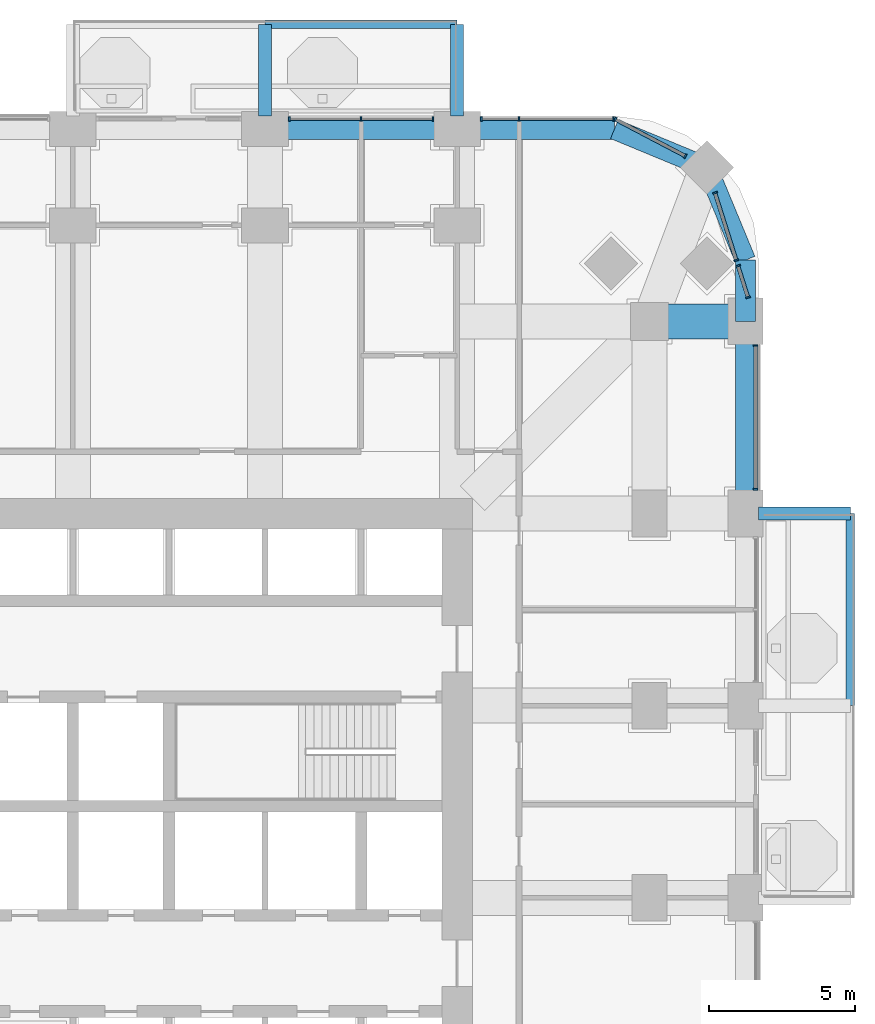
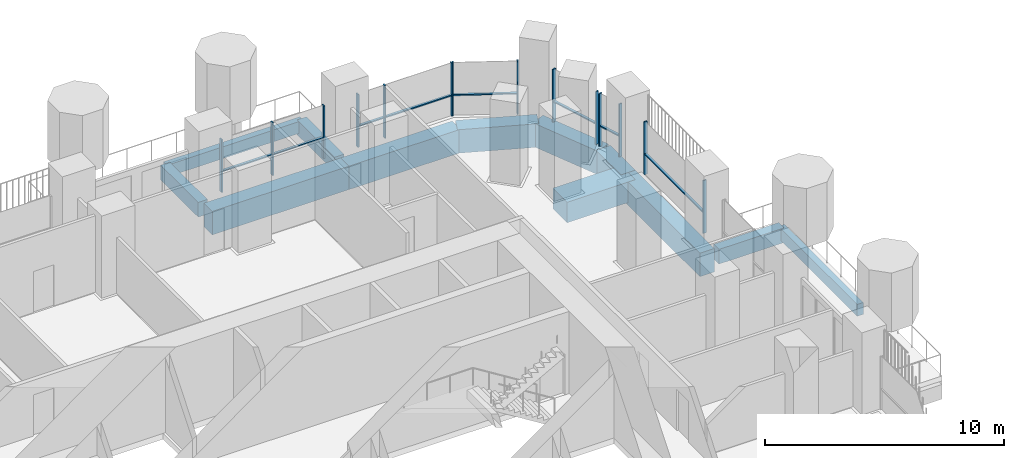
# One storey, part 8 of 23: 22 members, 12 beams, 6 elements without a shape of their own.
"""IFC4 building model written with IfcOpenShell, lengths in metres."""

from ifc_helpers import new_model, si_unit, direction, frame, origin, origin_2d, place, context, subcontext, project, spatial, rectangle, extrude, material, material_profile, profile_set, type_object, element, aggregate, save


model = new_model("IFC4")

# Units and contexts
model_context = context("Model", 3, precision=1e-05, world=origin(), true_north=direction((0.0, 1.0)))
body_context = subcontext(model_context, "Body", "Model", "MODEL_VIEW")
ifc_project = project(units=[si_unit("LENGTHUNIT", "METRE"), si_unit("AREAUNIT", "SQUARE_METRE"), si_unit("VOLUMEUNIT", "CUBIC_METRE"), si_unit("PLANEANGLEUNIT", "RADIAN"), si_unit("MASSUNIT", "GRAM", prefix="KILO")], contexts=[model_context])

# Site, building, storey
site_placement = place(None, origin())
site = spatial("IfcSite", under=ifc_project, at=site_placement, CompositionType="ELEMENT")
building_placement = place(site_placement, origin())
building = spatial("IfcBuilding", under=site, at=building_placement, Name="Cobogo Forest Laboratory Tower", CompositionType="ELEMENT")
storey_placement = place(building_placement, frame((0.0, 0.0, 103.199951171875)))
storey = spatial("IfcBuildingStorey", under=building, at=storey_placement, Name="L23", CompositionType="ELEMENT", Elevation=103.199951171875)

# Beams
ifc_material_1 = material(Name="Concrete HA-40 (C40/50)", Category="concrete")
ifc_material_profile_1 = material_profile(ifc_material_1, rectangle(XDim=0.449951171875, YDim=0.75, at=origin_2d()), Name="RC 450x750")
ifc_profile_set_1 = profile_set([ifc_material_profile_1], Name="Concrete HA-40 (C40/50)")
beam_type_1 = type_object("IfcBeamType", Name="Balcony cantilever beam 450x750", PredefinedType="BEAM", material=ifc_profile_set_1)
for number, where, z_axis, x_axis, name in (
    (1, (49.949951171875, 33.0, -0.625), (1.0, 0.0, 0.0), (0.0, 1.0, 0.0), "CB1 BAL-E1-C3 L23"),
    (2, (33.0, 46.64990234375, -0.625), (0.0, 1.0, 0.0), (-1.0, 0.0, 0.0), "CB1 BAL-N1-C2 L23"),
    (3, (39.60009765625, 46.64990234375, -0.625), (0.0, 1.0, 0.0), (-1.0, 0.0, 0.0), "CB1 BAL-N1-C3 L23"),
):
    element("IfcBeam", number, at=place(storey_placement, frame(where, z_axis=z_axis, x_axis=x_axis)), inside=storey, type_object=beam_type_1, Name=name, PredefinedType="BEAM", context=body_context, shape_type="SweptSolid", body=[
        extrude(rectangle(XDim=0.449951171875, YDim=0.75, at=origin_2d()), origin(), (0.0, 0.0, 1.0), 3.150146484375),
    ])
ifc_material_profile_2 = material_profile(ifc_material_1, rectangle(XDim=0.300048828125, YDim=0.60009765625, at=origin_2d()), Name="RC 300x600")
ifc_profile_set_2 = profile_set([ifc_material_profile_2], Name="Concrete HA-40 (C40/50)")
beam_type_2 = type_object("IfcBeamType", Name="Balcony edge beam 300x600", PredefinedType="BEAM", material=ifc_profile_set_2)
for number, where, z_axis, x_axis, name in (
    (4, (53.10009765625, 26.39990234375, -0.550048828125), (0.0, 1.0, 0.0), (-1.0, 0.0, 0.0), "BB1 BAL-E1-T2 L23"),
    (5, (33.0, 49.800048828125, -0.550048828125), (1.0, 0.0, 0.0), (0.0, 1.0, 0.0), "BB1 BAL-N1-T2 L23"),
):
    element("IfcBeam", number, at=place(storey_placement, frame(where, z_axis=z_axis, x_axis=x_axis)), inside=storey, type_object=beam_type_2, Name=name, PredefinedType="BEAM", context=body_context, shape_type="SweptSolid", body=[
        extrude(rectangle(XDim=0.300048828125, YDim=0.60009765625, at=origin_2d()), origin(), (0.0, 0.0, 1.0), 6.60009765625),
    ])
ifc_material_profile_3 = material_profile(ifc_material_1, rectangle(XDim=1.199951171875, YDim=1.050048828125, at=origin_2d()), Name="RC 1200x1050")
ifc_profile_set_3 = profile_set([ifc_material_profile_3], Name="Concrete HA-40 (C40/50)")
beam_type_3 = type_object("IfcBeamType", Name="Laboratory floor wide beam 1200x1050", PredefinedType="BEAM", material=ifc_profile_set_3)
beam_1_placement = place(storey_placement, frame((49.5, 39.60009765625, -0.824951171875), z_axis=(-1.0, 0.0, 0.0), x_axis=(0.0, -1.0, 0.0)))
element("IfcBeam", 6, at=beam_1_placement, inside=storey, type_object=beam_type_3, Name="RB1 G-NE-YF L23", PredefinedType="BEAM", context=body_context, shape_type="SweptSolid", body=[
    extrude(rectangle(XDim=1.199951171875, YDim=1.050048828125, at=origin_2d()), origin(), (0.0, 0.0, 1.0), 3.300048828125),
])

# Curtain wall, members
ifc_material_2 = material(Name="Aluminium curtain wall", Category="aluminium")
curtain_wall_type = type_object("IfcCurtainWallType", Name="CW-1 unitised curtain wall, clear glazing, laboratory floors zones A and B", PredefinedType="USERDEFINED", material=ifc_material_2)
curtain_wall_1_placement = place(storey_placement, origin())
curtain_wall_1 = element("IfcCurtainWall", 7, at=curtain_wall_1_placement, inside=storey, type_object=curtain_wall_type, Name="Curtain wall 14 L23", ObjectType="UNITISED CURTAIN WALL", PredefinedType="USERDEFINED")
ifc_material_3 = material(Name="Aluminium mullion", Category="aluminium")
ifc_material_profile_4 = material_profile(ifc_material_3, rectangle(XDim=0.06005859375, YDim=0.159912109375, at=origin_2d()), Name="AL 60x160")
ifc_profile_set_4 = profile_set([ifc_material_profile_4], Name="Aluminium mullion")
member_type_1 = type_object("IfcMemberType", Name="MU-1 aluminium mullion 60x160", PredefinedType="MULLION", material=ifc_profile_set_4)
member_1_placement = place(storey_placement, frame((49.85009765625, 33.830078125, 0.0), z_axis=(0.0, 0.0, 1.0), x_axis=(0.0, 1.0, 0.0)))
member_1 = element("IfcMember", 8, at=member_1_placement, type_object=member_type_1, Name="CW-1 mullion 1", PredefinedType="MULLION", context=body_context, shape_type="SweptSolid", body=[
    extrude(rectangle(XDim=0.06005859375, YDim=0.159912109375, at=origin_2d()), origin(), (0.0, 0.0, 1.0), 2.699951171875),
])
member_2_placement = place(storey_placement, frame((49.85009765625, 38.77001953125, 0.0), z_axis=(0.0, 0.0, 1.0), x_axis=(0.0, 1.0, 0.0)))
member_2 = element("IfcMember", 9, at=member_2_placement, type_object=member_type_1, Name="CW-1 mullion 2", PredefinedType="MULLION", context=body_context, shape_type="SweptSolid", body=[
    extrude(rectangle(XDim=0.06005859375, YDim=0.159912109375, at=origin_2d()), origin(), (0.0, 0.0, 1.0), 2.699951171875),
])

curtain_wall_2_placement = place(storey_placement, origin())
curtain_wall_2 = element("IfcCurtainWall", 10, at=curtain_wall_2_placement, inside=storey, type_object=curtain_wall_type, Name="Curtain wall 15 L23", ObjectType="UNITISED CURTAIN WALL", PredefinedType="USERDEFINED")
member_3_placement = place(storey_placement, frame((49.58837890625, 40.4287109375, 0.0), z_axis=(0.0, 0.0, 1.0), x_axis=(-0.301135667865, 0.953581307252, 0.0)))
member_3 = element("IfcMember", 11, at=member_3_placement, type_object=member_type_1, Name="CW-1 mullion 1", PredefinedType="MULLION", context=body_context, shape_type="SweptSolid", body=[
    extrude(rectangle(XDim=0.06005859375, YDim=0.159912109375, at=origin_2d()), origin(), (0.0, 0.0, 1.0), 2.699951171875),
])
member_4_placement = place(storey_placement, frame((49.247802734375, 41.507080078125, 0.0), z_axis=(0.0, 0.0, 1.0), x_axis=(-0.301135667865, 0.953581307252, 0.0)))
member_4 = element("IfcMember", 12, at=member_4_placement, type_object=member_type_1, Name="CW-1 mullion 2", PredefinedType="MULLION", context=body_context, shape_type="SweptSolid", body=[
    extrude(rectangle(XDim=0.06005859375, YDim=0.159912109375, at=origin_2d()), origin(), (0.0, 0.0, 1.0), 2.699951171875),
])

curtain_wall_3_placement = place(storey_placement, origin())
curtain_wall_3 = element("IfcCurtainWall", 13, at=curtain_wall_3_placement, inside=storey, type_object=curtain_wall_type, Name="Curtain wall 16 L23", ObjectType="UNITISED CURTAIN WALL", PredefinedType="USERDEFINED")
member_5_placement = place(storey_placement, frame((49.18701171875, 41.69970703125, 0.0), z_axis=(0.0, 0.0, 1.0), x_axis=(-0.301135291996, 0.953581425949, 0.0)))
member_5 = element("IfcMember", 14, at=member_5_placement, type_object=member_type_1, Name="CW-1 mullion 1", PredefinedType="MULLION", context=body_context, shape_type="SweptSolid", body=[
    extrude(rectangle(XDim=0.06005859375, YDim=0.159912109375, at=origin_2d()), origin(), (0.0, 0.0, 1.0), 2.699951171875),
])
member_6_placement = place(storey_placement, frame((48.455810546875, 44.01513671875, 0.0), z_axis=(0.0, 0.0, 1.0), x_axis=(-0.301135291996, 0.953581425949, 0.0)))
member_6 = element("IfcMember", 15, at=member_6_placement, type_object=member_type_1, Name="CW-1 mullion 2", PredefinedType="MULLION", context=body_context, shape_type="SweptSolid", body=[
    extrude(rectangle(XDim=0.06005859375, YDim=0.159912109375, at=origin_2d()), origin(), (0.0, 0.0, 1.0), 2.699951171875),
])

curtain_wall_4_placement = place(storey_placement, origin())
curtain_wall_4 = element("IfcCurtainWall", 16, at=curtain_wall_4_placement, inside=storey, type_object=curtain_wall_type, Name="Curtain wall 17 L23", ObjectType="UNITISED CURTAIN WALL", PredefinedType="USERDEFINED")
member_7_placement = place(storey_placement, frame((47.431640625, 45.275390625, 0.0), z_axis=(0.0, 0.0, 1.0), x_axis=(-0.885686547075, 0.464283685186, 0.0)))
member_7 = element("IfcMember", 17, at=member_7_placement, type_object=member_type_1, Name="CW-1 mullion 1", PredefinedType="MULLION", context=body_context, shape_type="SweptSolid", body=[
    extrude(rectangle(XDim=0.06005859375, YDim=0.159912109375, at=origin_2d()), origin(), (0.0, 0.0, 1.0), 2.699951171875),
])
member_8_placement = place(storey_placement, frame((45.026611328125, 46.5361328125, 0.0), z_axis=(0.0, 0.0, 1.0), x_axis=(-0.885686547075, 0.464283685186, 0.0)))
member_8 = element("IfcMember", 18, at=member_8_placement, type_object=member_type_1, Name="CW-1 mullion 2", PredefinedType="MULLION", context=body_context, shape_type="SweptSolid", body=[
    extrude(rectangle(XDim=0.06005859375, YDim=0.159912109375, at=origin_2d()), origin(), (0.0, 0.0, 1.0), 2.699951171875),
])

curtain_wall_5_placement = place(storey_placement, origin())
curtain_wall_5 = element("IfcCurtainWall", 19, at=curtain_wall_5_placement, inside=storey, type_object=curtain_wall_type, Name="Curtain wall 18 L23", ObjectType="UNITISED CURTAIN WALL", PredefinedType="USERDEFINED")
member_9_placement = place(storey_placement, frame((44.969970703125, 46.550048828125, 0.0), z_axis=(0.0, 0.0, 1.0), x_axis=(-1.0, 0.0, 0.0)))
member_9 = element("IfcMember", 20, at=member_9_placement, type_object=member_type_1, Name="CW-1 mullion 1", PredefinedType="MULLION", context=body_context, shape_type="SweptSolid", body=[
    extrude(rectangle(XDim=0.06005859375, YDim=0.159912109375, at=origin_2d()), origin(), (0.0, 0.0, 1.0), 2.699951171875),
])
member_10_placement = place(storey_placement, frame((41.72509765625, 46.550048828125, 0.0), z_axis=(0.0, 0.0, 1.0), x_axis=(-1.0, 0.0, 0.0)))
member_10 = element("IfcMember", 21, at=member_10_placement, type_object=member_type_1, Name="CW-1 mullion 2", PredefinedType="MULLION", context=body_context, shape_type="SweptSolid", body=[
    extrude(rectangle(XDim=0.06005859375, YDim=0.159912109375, at=origin_2d()), origin(), (0.0, 0.0, 1.0), 2.699951171875),
])
member_11_placement = place(storey_placement, frame((40.429931640625, 46.550048828125, 0.0), z_axis=(0.0, 0.0, 1.0), x_axis=(-1.0, 0.0, 0.0)))
member_11 = element("IfcMember", 22, at=member_11_placement, type_object=member_type_1, Name="CW-1 mullion 3", PredefinedType="MULLION", context=body_context, shape_type="SweptSolid", body=[
    extrude(rectangle(XDim=0.06005859375, YDim=0.159912109375, at=origin_2d()), origin(), (0.0, 0.0, 1.0), 2.699951171875),
])

curtain_wall_6_placement = place(storey_placement, origin())
curtain_wall_6 = element("IfcCurtainWall", 23, at=curtain_wall_6_placement, inside=storey, type_object=curtain_wall_type, Name="Curtain wall 19 L23", ObjectType="UNITISED CURTAIN WALL", PredefinedType="USERDEFINED")
member_12_placement = place(storey_placement, frame((38.77001953125, 46.550048828125, 0.0), z_axis=(0.0, 0.0, 1.0), x_axis=(-1.0, 0.0, 0.0)))
member_12 = element("IfcMember", 24, at=member_12_placement, type_object=member_type_1, Name="CW-1 mullion 1", PredefinedType="MULLION", context=body_context, shape_type="SweptSolid", body=[
    extrude(rectangle(XDim=0.06005859375, YDim=0.159912109375, at=origin_2d()), origin(), (0.0, 0.0, 1.0), 2.699951171875),
])
member_13_placement = place(storey_placement, frame((36.300048828125, 46.550048828125, 0.0), z_axis=(0.0, 0.0, 1.0), x_axis=(-1.0, 0.0, 0.0)))
member_13 = element("IfcMember", 25, at=member_13_placement, type_object=member_type_1, Name="CW-1 mullion 2", PredefinedType="MULLION", context=body_context, shape_type="SweptSolid", body=[
    extrude(rectangle(XDim=0.06005859375, YDim=0.159912109375, at=origin_2d()), origin(), (0.0, 0.0, 1.0), 2.699951171875),
])
member_14_placement = place(storey_placement, frame((33.830078125, 46.550048828125, 0.0), z_axis=(0.0, 0.0, 1.0), x_axis=(-1.0, 0.0, 0.0)))
member_14 = element("IfcMember", 26, at=member_14_placement, type_object=member_type_1, Name="CW-1 mullion 3", PredefinedType="MULLION", context=body_context, shape_type="SweptSolid", body=[
    extrude(rectangle(XDim=0.06005859375, YDim=0.159912109375, at=origin_2d()), origin(), (0.0, 0.0, 1.0), 2.699951171875),
])

# Beams
ifc_material_profile_5 = material_profile(ifc_material_1, rectangle(XDim=0.699951171875, YDim=1.199951171875, at=origin_2d()), Name="RC 700x1200")
ifc_profile_set_5 = profile_set([ifc_material_profile_5], Name="Concrete HA-40 (C40/50)")
beam_type_4 = type_object("IfcBeamType", Name="Perimeter edge beam 700x1200", PredefinedType="BEAM", material=ifc_profile_set_5)
for number, where, z_axis, x_axis, name in (
    (27, (49.5, 33.0, -0.89990234375), (0.0, 1.0, 0.0), (-1.0, 0.0, 0.0), "EB1 E-E5 L23"),
    (28, (33.0, 46.199951171875, -0.89990234375), (1.0, 0.0, 0.0), (0.0, 1.0, 0.0), "EB1 E-N4 L23"),
):
    element("IfcBeam", number, at=place(storey_placement, frame(where, z_axis=z_axis, x_axis=x_axis)), inside=storey, type_object=beam_type_4, Name=name, PredefinedType="BEAM", context=body_context, shape_type="SweptSolid", body=[
        extrude(rectangle(XDim=0.699951171875, YDim=1.199951171875, at=origin_2d()), origin(), (0.0, 0.0, 1.0), 6.60009765625),
    ])
beam_2_placement = place(storey_placement, frame((49.5, 39.60009765625, -0.89990234375), z_axis=(0.0, 1.0, 0.0), x_axis=(-1.0, 0.0, 0.0)))
element("IfcBeam", 29, at=beam_2_placement, inside=storey, type_object=beam_type_4, Name="EB1 E-NEE1 L23", PredefinedType="BEAM", context=body_context, shape_type="SweptSolid", body=[
    extrude(rectangle(XDim=0.699951171875, YDim=1.199951171875, at=origin_2d()), origin(), (0.0, 0.0, 1.0), 2.099853515625),
])
beam_3_placement = place(storey_placement, frame((49.5, 41.699951171875, -0.89990234375), z_axis=(-0.382691928466, 0.923876013265, 0.0), x_axis=(-0.923876013265, -0.382691928466, 0.0)))
element("IfcBeam", 30, at=beam_3_placement, inside=storey, type_object=beam_type_4, Name="EB1 E-NEE2 L23", PredefinedType="BEAM", context=body_context, shape_type="SweptSolid", body=[
    extrude(rectangle(XDim=0.699951171875, YDim=1.199951171875, at=origin_2d()), origin(), (0.0, 0.0, 1.0), 3.4443359375),
])
beam_4_placement = place(storey_placement, frame((39.60009765625, 46.199951171875, -0.89990234375), z_axis=(1.0, 0.0, 0.0), x_axis=(0.0, 1.0, 0.0)))
element("IfcBeam", 31, at=beam_4_placement, inside=storey, type_object=beam_type_4, Name="EB1 E-NEN1 L23", PredefinedType="BEAM", context=body_context, shape_type="SweptSolid", body=[
    extrude(rectangle(XDim=0.699951171875, YDim=1.199951171875, at=origin_2d()), origin(), (0.0, 0.0, 1.0), 5.39990234375),
])
beam_5_placement = place(storey_placement, frame((45.0, 46.199951171875, -0.89990234375), z_axis=(0.923890694089, -0.382656484822, 0.0), x_axis=(0.382656484822, 0.923890694089, 0.0)))
element("IfcBeam", 32, at=beam_5_placement, inside=storey, type_object=beam_type_4, Name="EB1 E-NEN2 L23", PredefinedType="BEAM", context=body_context, shape_type="SweptSolid", body=[
    extrude(rectangle(XDim=0.699951171875, YDim=1.199951171875, at=origin_2d()), origin(), (0.0, 0.0, 1.0), 3.444091796875),
])

# Member
ifc_material_4 = material(Name="Aluminium transom", Category="aluminium")
ifc_material_profile_6 = material_profile(ifc_material_4, rectangle(XDim=0.1201171875, YDim=0.06005859375, at=origin_2d()), Name="AL 60x120")
ifc_profile_set_6 = profile_set([ifc_material_profile_6], Name="Aluminium transom")
member_type_2 = type_object("IfcMemberType", Name="TR-1 aluminium transom 60x120", PredefinedType="USERDEFINED", material=ifc_profile_set_6)
member_15_placement = place(storey_placement, frame((49.85009765625, 33.860107421875, 1.050048828125), z_axis=(0.0, 1.0, 0.0), x_axis=(-1.0, 0.0, 0.0)))
member_15 = element("IfcMember", 33, at=member_15_placement, type_object=member_type_2, Name="CW-1 transom 1.1", ObjectType="TRANSOM", PredefinedType="USERDEFINED", context=body_context, shape_type="SweptSolid", body=[
    extrude(rectangle(XDim=0.1201171875, YDim=0.06005859375, at=origin_2d()), origin(), (0.0, 0.0, 1.0), 4.8798828125),
])

aggregate(curtain_wall_1, [member_1, member_2, member_15])

member_16_placement = place(storey_placement, frame((49.579345703125, 40.457275390625, 1.050048828125), z_axis=(-0.3011422781, 0.953579219751, 0.0), x_axis=(-0.953579219751, -0.3011422781, 0.0)))
member_16 = element("IfcMember", 34, at=member_16_placement, type_object=member_type_2, Name="CW-1 transom 1.1", ObjectType="TRANSOM", PredefinedType="USERDEFINED", context=body_context, shape_type="SweptSolid", body=[
    extrude(rectangle(XDim=0.1201171875, YDim=0.06005859375, at=origin_2d()), origin(), (0.0, 0.0, 1.0), 1.071044921875),
])

aggregate(curtain_wall_2, [member_3, member_4, member_16])

member_17_placement = place(storey_placement, frame((49.177978515625, 41.728271484375, 1.050048828125), z_axis=(-0.301156039198, 0.953574873859, 0.0), x_axis=(-0.953574873859, -0.301156039198, 0.0)))
member_17 = element("IfcMember", 35, at=member_17_placement, type_object=member_type_2, Name="CW-1 transom 1.1", ObjectType="TRANSOM", PredefinedType="USERDEFINED", context=body_context, shape_type="SweptSolid", body=[
    extrude(rectangle(XDim=0.1201171875, YDim=0.06005859375, at=origin_2d()), origin(), (0.0, 0.0, 1.0), 2.367919921875),
])

aggregate(curtain_wall_3, [member_5, member_6, member_17])

member_18_placement = place(storey_placement, frame((47.405029296875, 45.289306640625, 1.050048828125), z_axis=(-0.885674922116, 0.464305860758, 0.0), x_axis=(-0.464305860758, -0.885674922116, 0.0)))
member_18 = element("IfcMember", 36, at=member_18_placement, type_object=member_type_2, Name="CW-1 transom 1.1", ObjectType="TRANSOM", PredefinedType="USERDEFINED", context=body_context, shape_type="SweptSolid", body=[
    extrude(rectangle(XDim=0.1201171875, YDim=0.06005859375, at=origin_2d()), origin(), (0.0, 0.0, 1.0), 2.6552734375),
])

aggregate(curtain_wall_4, [member_7, member_8, member_18])

member_19_placement = place(storey_placement, frame((44.93994140625, 46.550048828125, 1.050048828125), z_axis=(-1.0, 0.0, 0.0), x_axis=(0.0, -1.0, 0.0)))
member_19 = element("IfcMember", 37, at=member_19_placement, type_object=member_type_2, Name="CW-1 transom 1.1", ObjectType="TRANSOM", PredefinedType="USERDEFINED", context=body_context, shape_type="SweptSolid", body=[
    extrude(rectangle(XDim=0.1201171875, YDim=0.06005859375, at=origin_2d()), origin(), (0.0, 0.0, 1.0), 3.18505859375),
])

member_20_placement = place(storey_placement, frame((41.695068359375, 46.550048828125, 1.050048828125), z_axis=(-1.0, 0.0, 0.0), x_axis=(0.0, -1.0, 0.0)))
member_20 = element("IfcMember", 38, at=member_20_placement, type_object=member_type_2, Name="CW-1 transom 2.1", ObjectType="TRANSOM", PredefinedType="USERDEFINED", context=body_context, shape_type="SweptSolid", body=[
    extrude(rectangle(XDim=0.1201171875, YDim=0.06005859375, at=origin_2d()), origin(), (0.0, 0.0, 1.0), 1.235107421875),
])

aggregate(curtain_wall_5, [member_9, member_10, member_11, member_19, member_20])

member_21_placement = place(storey_placement, frame((38.739990234375, 46.550048828125, 1.050048828125), z_axis=(-1.0, 0.0, 0.0), x_axis=(0.0, -1.0, 0.0)))
member_21 = element("IfcMember", 39, at=member_21_placement, type_object=member_type_2, Name="CW-1 transom 1.1", ObjectType="TRANSOM", PredefinedType="USERDEFINED", context=body_context, shape_type="SweptSolid", body=[
    extrude(rectangle(XDim=0.1201171875, YDim=0.06005859375, at=origin_2d()), origin(), (0.0, 0.0, 1.0), 2.409912109375),
])

member_22_placement = place(storey_placement, frame((36.27001953125, 46.550048828125, 1.050048828125), z_axis=(-1.0, 0.0, 0.0), x_axis=(0.0, -1.0, 0.0)))
member_22 = element("IfcMember", 40, at=member_22_placement, type_object=member_type_2, Name="CW-1 transom 2.1", ObjectType="TRANSOM", PredefinedType="USERDEFINED", context=body_context, shape_type="SweptSolid", body=[
    extrude(rectangle(XDim=0.1201171875, YDim=0.06005859375, at=origin_2d()), origin(), (0.0, 0.0, 1.0), 2.409912109375),
])

aggregate(curtain_wall_6, [member_12, member_13, member_14, member_21, member_22])

save(model, "model.ifc")
